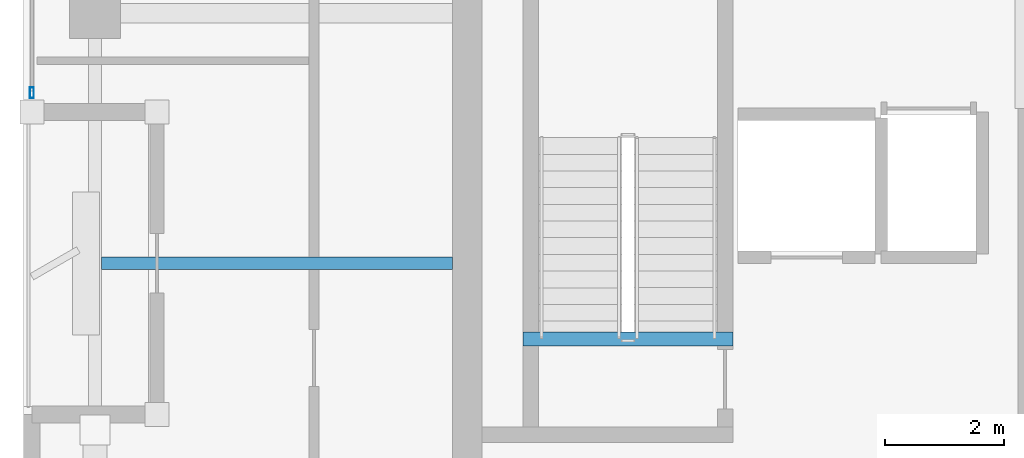
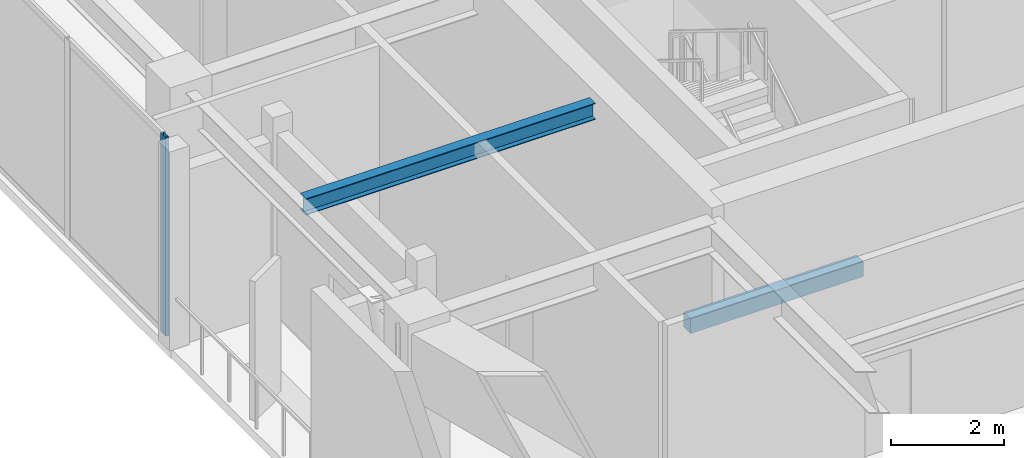
# One storey, part 2 of 16: 2 beams, 1 member, 1 element without a shape of its own.
"""IFC4 building model written with IfcOpenShell, lengths in metres."""

from ifc_helpers import new_model, si_unit, direction, frame, origin, origin_2d, place, context, subcontext, project, spatial, rectangle, hollow_rectangle, i_section, extrude, material, layer, layer_set, material_profile, profile_set, type_object, element, aggregate, save


model = new_model("IFC4")

# Units and contexts
model_context = context("Model", 3, precision=1e-05, world=origin(), true_north=direction((0.0, 1.0)))
body_context = subcontext(model_context, "Body", "Model", "MODEL_VIEW")
ifc_project = project(units=[si_unit("LENGTHUNIT", "METRE"), si_unit("AREAUNIT", "SQUARE_METRE"), si_unit("VOLUMEUNIT", "CUBIC_METRE"), si_unit("PLANEANGLEUNIT", "RADIAN"), si_unit("MASSUNIT", "GRAM", prefix="KILO")], contexts=[model_context])

# Site, building, storey
site_placement = place(None, origin())
site = spatial("IfcSite", under=ifc_project, at=site_placement, CompositionType="ELEMENT")
building_placement = place(site_placement, origin())
building = spatial("IfcBuilding", under=site, at=building_placement, Name="Kiyonajd Concourse Tower", CompositionType="ELEMENT")
storey_placement = place(building_placement, frame((0.0, 0.0, 337.5)))
storey = spatial("IfcBuildingStorey", under=building, at=storey_placement, Name="L85", CompositionType="ELEMENT", Elevation=337.5)

# Beams
ifc_material_1 = material(Name="Steel ASTM A992 Grade 50", Category="steel")
ifc_material_profile_1 = material_profile(ifc_material_1, i_section(OverallWidth=0.205078125, OverallDepth=0.35400390625, WebThickness=0.009521484375, FlangeThickness=0.016845703125, at=origin_2d()), Name="W360X79")
ifc_profile_set_1 = profile_set([ifc_material_profile_1], Name="Steel ASTM A992 Grade 50")
beam_type_1 = type_object("IfcBeamType", Name="BM-JST-360", PredefinedType="JOIST", material=ifc_profile_set_1)
beam_1_placement = place(storey_placement, frame((26.505615234375, 31.800048828125, 4.10302734375), z_axis=(1.0, 0.0, 0.0), x_axis=(0.0, 1.0, 0.0)))
element("IfcBeam", 1, at=beam_1_placement, inside=storey, type_object=beam_type_1, Name="L85 West Secondary Floor Joist", PredefinedType="JOIST", context=body_context, shape_type="SweptSolid", body=[
    extrude(i_section(OverallWidth=0.205078125, OverallDepth=0.35400390625, WebThickness=0.009521484375, FlangeThickness=0.016845703125, at=origin_2d()), origin(), (0.0, 0.0, 1.0), 5.894287109375),
])
ifc_material_2 = material(Name="Concrete C50/60", Category="concrete")
ifc_material_profile_2 = material_profile(ifc_material_2, rectangle(XDim=0.239990234375, YDim=0.320068359375, at=origin_2d()), Name="RCBM-240x320")
ifc_profile_set_2 = profile_set([ifc_material_profile_2], Name="Concrete C50/60")
beam_type_2 = type_object("IfcBeamType", Name="BM-LNT-250", PredefinedType="LINTEL", material=ifc_profile_set_2)
beam_2_placement = place(storey_placement, frame((33.590087890625, 30.530029296875, -0.159912109375), z_axis=(1.0, 0.0, 0.0), x_axis=(0.0, 1.0, 0.0)))
element("IfcBeam", 2, at=beam_2_placement, inside=storey, type_object=beam_type_2, Name="L85 Stair ST1 Threshold Support Beam", PredefinedType="LINTEL", context=body_context, shape_type="SweptSolid", body=[
    extrude(rectangle(XDim=0.239990234375, YDim=0.320068359375, at=origin_2d()), origin(), (0.0, 0.0, 1.0), 3.52001953125),
])

# Curtain wall, member
ifc_material_3 = material(Name="Thermally Broken Anodised Aluminium", Category="aluminium")
ifc_layer = layer(ifc_material_3, 0.179931640625)
ifc_layer_set = layer_set([ifc_layer], Name="Thermally Broken Anodised Aluminium")
curtain_wall_type = type_object("IfcCurtainWallType", Name="CW-SYS-04", PredefinedType="NOTDEFINED", material=ifc_layer_set)
curtain_wall_placement = place(storey_placement, origin())
curtain_wall = element("IfcCurtainWall", 3, at=curtain_wall_placement, inside=storey, type_object=curtain_wall_type, Name="L85 Unitised Curtain Wall CW4", PredefinedType="NOTDEFINED")
ifc_material_profile_3 = material_profile(ifc_material_3, hollow_rectangle(XDim=0.06494140625, YDim=0.179931640625, WallThickness=0.00390625, at=origin_2d()), Name="MULL-65x180")
ifc_profile_set_3 = profile_set([ifc_material_profile_3], Name="Thermally Broken Anodised Aluminium")
member_type = type_object("IfcMemberType", Name="MB-CW-MULL1", PredefinedType="MULLION", material=ifc_profile_set_3)
member_placement = place(storey_placement, frame((25.340087890625, 34.66259765625, 0.0), z_axis=(0.0, 0.0, 1.0), x_axis=(-1.0, 0.0, 0.0)))
member = element("IfcMember", 4, at=member_placement, type_object=member_type, Name="CW4 mullion 1", PredefinedType="MULLION", context=body_context, shape_type="SweptSolid", body=[
    extrude(hollow_rectangle(XDim=0.06494140625, YDim=0.179931640625, WallThickness=0.00390625, at=origin_2d()), origin(), (0.0, 0.0, 1.0), 4.280029296875),
])
aggregate(curtain_wall, [member])

save(model, "model.ifc")
